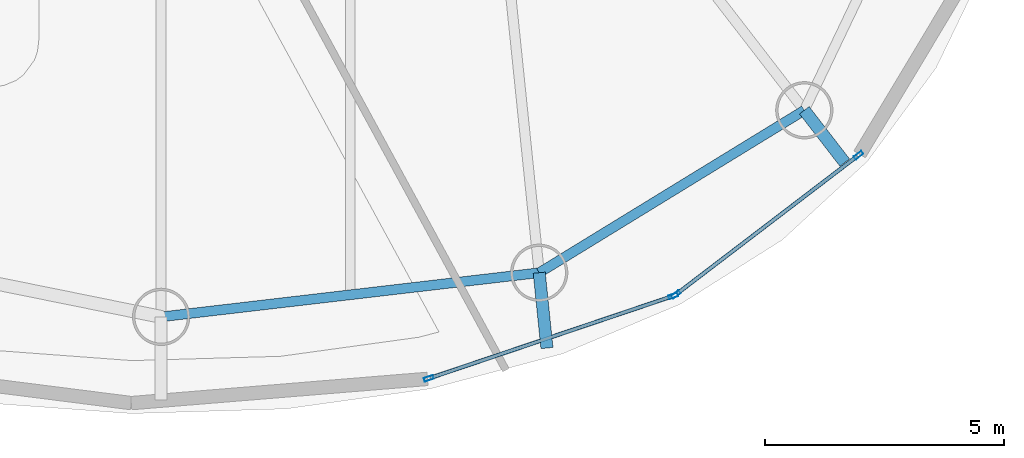
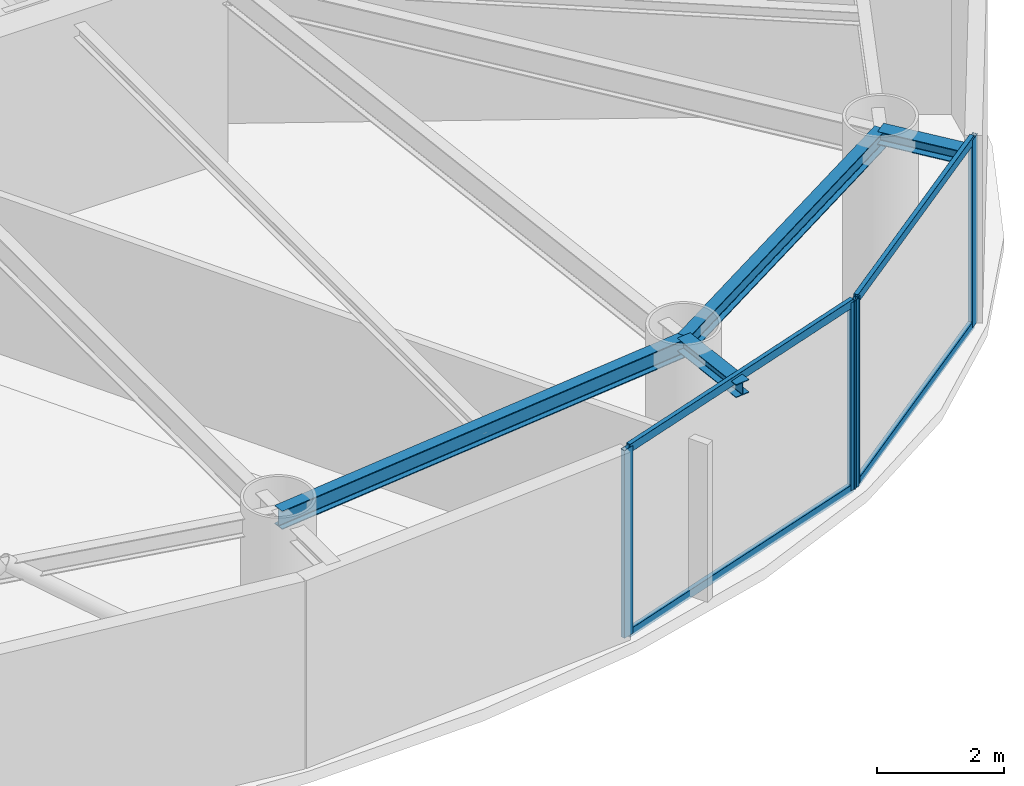
# One storey, part 6 of 19: 8 members, 4 beams, 2 elements without a shape of their own.
"""IFC4 building model written with IfcOpenShell, lengths in metres."""

from ifc_helpers import new_model, si_unit, direction, frame, origin, origin_2d, place, context, subcontext, project, spatial, hollow_rectangle, i_section, extrude, material, layer, layer_set, material_profile, profile_set, type_object, element, aggregate, save


model = new_model("IFC4")

# Units and contexts
model_context = context("Model", 3, precision=1e-05, world=origin(), true_north=direction((0.0, 1.0)))
body_context = subcontext(model_context, "Body", "Model", "MODEL_VIEW")
ifc_project = project(units=[si_unit("LENGTHUNIT", "METRE"), si_unit("AREAUNIT", "SQUARE_METRE"), si_unit("VOLUMEUNIT", "CUBIC_METRE"), si_unit("PLANEANGLEUNIT", "RADIAN"), si_unit("MASSUNIT", "GRAM", prefix="KILO")], contexts=[model_context])

# Site, building, storey
site_placement = place(None, origin())
site = spatial("IfcSite", under=ifc_project, at=site_placement, CompositionType="ELEMENT")
building_placement = place(site_placement, origin())
building = spatial("IfcBuilding", under=site, at=building_placement, Name="Bramvorn Convention Spire", CompositionType="ELEMENT")
storey_placement = place(building_placement, frame((0.0, 0.0, 198.14990234375)))
storey = spatial("IfcBuildingStorey", under=building, at=storey_placement, Name="L50", CompositionType="ELEMENT", Elevation=198.14990234375)

# Beams
ifc_material_1 = material(Name="Steel CSA G40.21 Grade 350 (350W)", Category="steel")
ifc_material_profile_1 = material_profile(ifc_material_1, i_section(OverallWidth=0.25390625, OverallDepth=0.2529296875, WebThickness=0.008544921875, FlangeThickness=0.01416015625, FilletRadius=0.011962890625, at=origin_2d()))
ifc_profile_set_1 = profile_set([ifc_material_profile_1], Name="Steel CSA G40.21 Grade 350 (350W) - W250X73")
beam_type_1 = type_object("IfcBeamType", Name="BM-W250X73", PredefinedType="BEAM", material=ifc_profile_set_1)
beam_1_placement = place(storey_placement, frame((56.058349609375, 9.739990234375, 3.49365234375), z_axis=(0.611547755277, -0.791207522092, 0.0), x_axis=(0.791207522092, 0.611547755277, 0.0)))
element("IfcBeam", 1, at=beam_1_placement, inside=storey, type_object=beam_type_1, Name="L50 slab-edge cantilever tip beam MC01", PredefinedType="BEAM", context=body_context, shape_type="SweptSolid", body=[
    extrude(i_section(OverallWidth=0.25390625, OverallDepth=0.2529296875, WebThickness=0.008544921875, FlangeThickness=0.01416015625, FilletRadius=0.011962890625, at=origin_2d()), origin(), (0.0, 0.0, 1.0), 1.385986328125),
])
beam_2_placement = place(storey_placement, frame((50.50439453125, 6.336181640625, 3.49365234375), z_axis=(0.102169419411, -0.994767012791, 0.0), x_axis=(0.994767012791, 0.102169419411, 0.0)))
element("IfcBeam", 2, at=beam_2_placement, inside=storey, type_object=beam_type_1, Name="L50 slab-edge cantilever tip beam MC16", PredefinedType="BEAM", context=body_context, shape_type="SweptSolid", body=[
    extrude(i_section(OverallWidth=0.25390625, OverallDepth=0.2529296875, WebThickness=0.008544921875, FlangeThickness=0.01416015625, FilletRadius=0.011962890625, at=origin_2d()), origin(), (0.0, 0.0, 1.0), 1.586669921875),
])
ifc_material_profile_2 = material_profile(ifc_material_1, i_section(OverallWidth=0.205078125, OverallDepth=0.35400390625, WebThickness=0.009521484375, FlangeThickness=0.016845703125, FilletRadius=0.014892578125, at=origin_2d()))
ifc_profile_set_2 = profile_set([ifc_material_profile_2], Name="Steel CSA G40.21 Grade 350 (350W) - W360X79")
beam_type_2 = type_object("IfcBeamType", Name="BM-W360X79", PredefinedType="JOIST", material=ifc_profile_set_2)
beam_3_placement = place(storey_placement, frame((42.583740234375, 5.41162109375, 3.443115234375), z_axis=(0.993256148339, 0.115940604561, 0.0), x_axis=(-0.115940604561, 0.993256148339, 0.0)))
element("IfcBeam", 3, at=beam_3_placement, inside=storey, type_object=beam_type_2, Name="L50 mega-column ring beam 15", PredefinedType="JOIST", context=body_context, shape_type="SweptSolid", body=[
    extrude(i_section(OverallWidth=0.205078125, OverallDepth=0.35400390625, WebThickness=0.009521484375, FlangeThickness=0.016845703125, FilletRadius=0.014892578125, at=origin_2d()), origin(), (0.0, 0.0, 1.0), 7.974365234375),
])
beam_4_placement = place(storey_placement, frame((50.50439453125, 6.336181640625, 3.443115234375), z_axis=(0.852616873135, 0.522536570629, 0.0), x_axis=(-0.522536570629, 0.852616873135, 0.0)))
element("IfcBeam", 4, at=beam_4_placement, inside=storey, type_object=beam_type_2, Name="L50 mega-column ring beam 16", PredefinedType="JOIST", context=body_context, shape_type="SweptSolid", body=[
    extrude(i_section(OverallWidth=0.205078125, OverallDepth=0.35400390625, WebThickness=0.009521484375, FlangeThickness=0.016845703125, FilletRadius=0.014892578125, at=origin_2d()), origin(), (0.0, 0.0, 1.0), 6.513916015625),
])

# Curtain wall, members
ifc_material_2 = material(Name="Anodised Bronze Unitised Curtain Wall", Category="aluminium")
ifc_layer = layer(ifc_material_2, 0.179931640625)
ifc_layer_set = layer_set([ifc_layer], Name="Anodised Bronze Unitised Curtain Wall - CW-OFF-FRIT")
curtain_wall_type = type_object("IfcCurtainWallType", Name="CW-OFF-FRIT", PredefinedType="USERDEFINED", material=ifc_layer_set)
curtain_wall_1_placement = place(storey_placement, origin())
curtain_wall_1 = element("IfcCurtainWall", 5, at=curtain_wall_1_placement, inside=storey, type_object=curtain_wall_type, Name="L50 fritted glass curtain wall 23", ObjectType="UNITISED CURTAIN WALL", PredefinedType="USERDEFINED")
ifc_material_3 = material(Name="Anodised Bronze Aluminium 6063-T6", Category="aluminium")
ifc_material_profile_3 = material_profile(ifc_material_3, hollow_rectangle(XDim=0.080078125, YDim=0.199951171875, WallThickness=0.00390625, InnerFilletRadius=0.0009765625, OuterFilletRadius=0.00390625, at=origin_2d()))
ifc_profile_set_3 = profile_set([ifc_material_profile_3], Name="Anodised Bronze Aluminium 6063-T6 - CWM80X200")
member_type_1 = type_object("IfcMemberType", Name="CW-MUL-180", PredefinedType="MULLION", material=ifc_profile_set_3)
member_1_placement = place(storey_placement, frame((53.312744140625, 5.85009765625, 0.0), z_axis=(0.0, 0.0, 1.0), x_axis=(0.319733670864, -0.947507456285, 0.0)))
member_1 = element("IfcMember", 6, at=member_1_placement, type_object=member_type_1, Name="CW3 mullion 1", PredefinedType="MULLION", context=body_context, shape_type="SweptSolid", body=[
    extrude(hollow_rectangle(XDim=0.080078125, YDim=0.199951171875, WallThickness=0.00390625, InnerFilletRadius=0.0009765625, OuterFilletRadius=0.00390625, at=origin_2d()), origin(), (0.0, 0.0, 1.0), 3.6201171875),
])
member_2_placement = place(storey_placement, frame((48.19189453125, 4.1220703125, 0.0), z_axis=(0.0, 0.0, 1.0), x_axis=(0.319733670864, -0.947507456285, 0.0)))
member_2 = element("IfcMember", 7, at=member_2_placement, type_object=member_type_1, Name="CW3 mullion 2", PredefinedType="MULLION", context=body_context, shape_type="SweptSolid", body=[
    extrude(hollow_rectangle(XDim=0.080078125, YDim=0.199951171875, WallThickness=0.00390625, InnerFilletRadius=0.0009765625, OuterFilletRadius=0.00390625, at=origin_2d()), origin(), (0.0, 0.0, 1.0), 3.6201171875),
])

curtain_wall_2_placement = place(storey_placement, origin())
curtain_wall_2 = element("IfcCurtainWall", 8, at=curtain_wall_2_placement, inside=storey, type_object=curtain_wall_type, Name="L50 fritted glass curtain wall 24", ObjectType="UNITISED CURTAIN WALL", PredefinedType="USERDEFINED")
member_3_placement = place(storey_placement, frame((57.194580078125, 8.798583984375, 0.0), z_axis=(0.0, 0.0, 1.0), x_axis=(0.606441045242, -0.79512845418, 0.0)))
member_3 = element("IfcMember", 9, at=member_3_placement, type_object=member_type_1, Name="CW3 mullion 1", PredefinedType="MULLION", context=body_context, shape_type="SweptSolid", body=[
    extrude(hollow_rectangle(XDim=0.080078125, YDim=0.199951171875, WallThickness=0.00390625, InnerFilletRadius=0.0009765625, OuterFilletRadius=0.00390625, at=origin_2d()), origin(), (0.0, 0.0, 1.0), 3.6201171875),
])
member_4_placement = place(storey_placement, frame((53.364990234375, 5.877685546875, 0.0), z_axis=(0.0, 0.0, 1.0), x_axis=(0.606441045242, -0.79512845418, 0.0)))
member_4 = element("IfcMember", 10, at=member_4_placement, type_object=member_type_1, Name="CW3 mullion 2", PredefinedType="MULLION", context=body_context, shape_type="SweptSolid", body=[
    extrude(hollow_rectangle(XDim=0.080078125, YDim=0.199951171875, WallThickness=0.00390625, InnerFilletRadius=0.0009765625, OuterFilletRadius=0.00390625, at=origin_2d()), origin(), (0.0, 0.0, 1.0), 3.6201171875),
])

# Member
ifc_material_profile_4 = material_profile(ifc_material_3, hollow_rectangle(XDim=0.080078125, YDim=0.159912109375, WallThickness=0.00390625, InnerFilletRadius=0.0009765625, OuterFilletRadius=0.00390625, at=origin_2d()))
ifc_profile_set_4 = profile_set([ifc_material_profile_4], Name="Anodised Bronze Aluminium 6063-T6 - CWT80X160")
member_type_2 = type_object("IfcMemberType", Name="CW-TRN-150", PredefinedType="USERDEFINED", material=ifc_profile_set_4)
member_5_placement = place(storey_placement, frame((53.2841796875, 5.84033203125, 0.030029296875), z_axis=(-0.947512000236, -0.319720204881, 0.0), x_axis=(0.319720204881, -0.947512000236, 0.0)))
member_5 = element("IfcMember", 11, at=member_5_placement, type_object=member_type_2, Name="CW3 transom 1.1", ObjectType="TRANSOM", PredefinedType="USERDEFINED", context=body_context, shape_type="SweptSolid", body=[
    extrude(hollow_rectangle(XDim=0.080078125, YDim=0.159912109375, WallThickness=0.00390625, InnerFilletRadius=0.0009765625, OuterFilletRadius=0.00390625, at=origin_2d()), origin(), (0.0, 0.0, 1.0), 5.344482421875),
])

member_6_placement = place(storey_placement, frame((53.2841796875, 5.84033203125, 3.590087890625), z_axis=(-0.947512000236, -0.319720204881, 0.0), x_axis=(0.319720204881, -0.947512000236, 0.0)))
member_6 = element("IfcMember", 12, at=member_6_placement, type_object=member_type_2, Name="CW3 transom 1.2", ObjectType="TRANSOM", PredefinedType="USERDEFINED", context=body_context, shape_type="SweptSolid", body=[
    extrude(hollow_rectangle(XDim=0.080078125, YDim=0.159912109375, WallThickness=0.00390625, InnerFilletRadius=0.0009765625, OuterFilletRadius=0.00390625, at=origin_2d()), origin(), (0.0, 0.0, 1.0), 5.344482421875),
])

aggregate(curtain_wall_1, [member_1, member_2, member_5, member_6])

member_7_placement = place(storey_placement, frame((57.170654296875, 8.780517578125, 0.030029296875), z_axis=(-0.795107569509, -0.606468426969, 0.0), x_axis=(0.606468426969, -0.795107569509, 0.0)))
member_7 = element("IfcMember", 13, at=member_7_placement, type_object=member_type_2, Name="CW3 transom 1.1", ObjectType="TRANSOM", PredefinedType="USERDEFINED", context=body_context, shape_type="SweptSolid", body=[
    extrude(hollow_rectangle(XDim=0.080078125, YDim=0.159912109375, WallThickness=0.00390625, InnerFilletRadius=0.0009765625, OuterFilletRadius=0.00390625, at=origin_2d()), origin(), (0.0, 0.0, 1.0), 4.75634765625),
])

member_8_placement = place(storey_placement, frame((57.170654296875, 8.780517578125, 3.590087890625), z_axis=(-0.795107569509, -0.606468426969, 0.0), x_axis=(0.606468426969, -0.795107569509, 0.0)))
member_8 = element("IfcMember", 14, at=member_8_placement, type_object=member_type_2, Name="CW3 transom 1.2", ObjectType="TRANSOM", PredefinedType="USERDEFINED", context=body_context, shape_type="SweptSolid", body=[
    extrude(hollow_rectangle(XDim=0.080078125, YDim=0.159912109375, WallThickness=0.00390625, InnerFilletRadius=0.0009765625, OuterFilletRadius=0.00390625, at=origin_2d()), origin(), (0.0, 0.0, 1.0), 4.75634765625),
])

aggregate(curtain_wall_2, [member_3, member_4, member_7, member_8])

save(model, "model.ifc")
